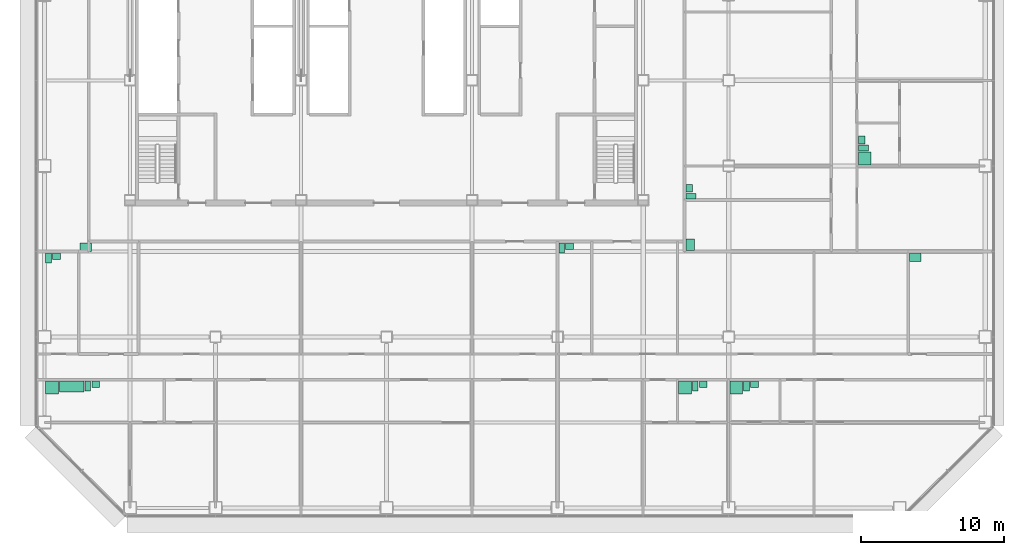
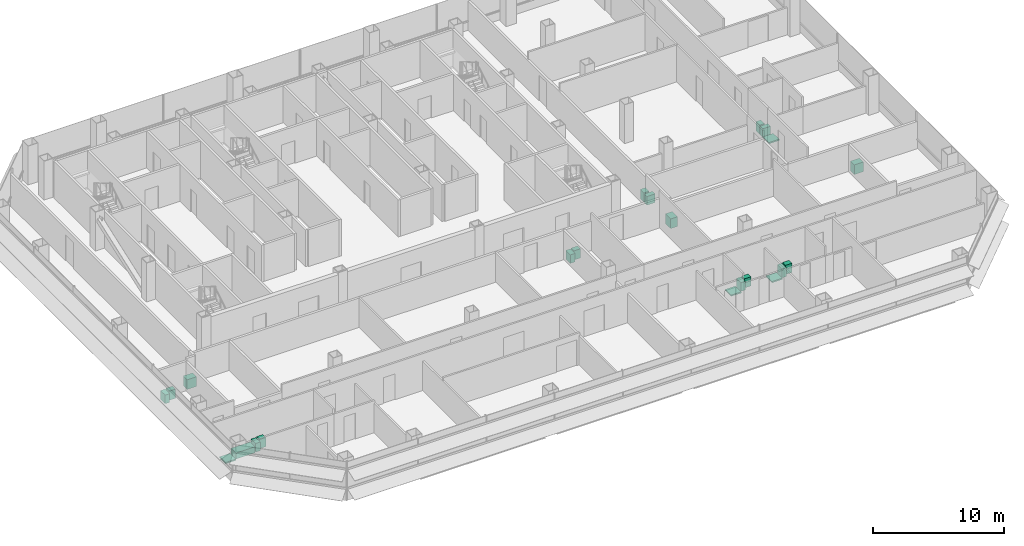
# One storey, part 27 of 27: 22 sanitary terminals.
"""IFC4 building model written with IfcOpenShell, lengths in metres."""

import ifcopenshell
import ifcopenshell.guid

model = None  # the IFC model being written
_history = None  # IfcOwnerHistory: only IFC2X3 demands one
_inside = {}  # id of a spatial element -> (the spatial element, [elements in it])
_under = {}  # id of a project, library or spatial element -> (it, [spatial elements below it])
_declared = {}  # id of a project -> (the project, [libraries it declares])
_typed = {}  # id of a type object -> (the type object, [elements of that type])
_made_of = {}  # id of a material, layer set ... -> (it, [elements and type objects made of it])


def new_model(schema):
    """Start an empty IFC model of exactly this schema.

    Asked for "IFC4X3", IfcOpenShell would pick the latest addendum, in which some entities
    have other attributes; the version numbers below select the first issue.
    IFC2X3 requires an IfcOwnerHistory on every rooted entity: one is made here for all.
    """
    global model, _history
    if schema == "IFC4X3":
        model = ifcopenshell.file(schema_version=(4, 3, 0, 0))
    else:
        model = ifcopenshell.file(schema=schema)
    _inside.clear()
    _under.clear()
    _declared.clear()
    _typed.clear()
    _made_of.clear()
    _history = None
    if model.schema == "IFC2X3":
        org = make("IfcOrganization", Name="unknown")
        user = make(
            "IfcPersonAndOrganization",
            ThePerson=make("IfcPerson", FamilyName="unknown"),
            TheOrganization=org,
        )
        app = make(
            "IfcApplication",
            ApplicationDeveloper=org,
            Version="unknown",
            ApplicationFullName="unknown",
            ApplicationIdentifier="unknown",
        )
        _history = make(
            "IfcOwnerHistory",
            OwningUser=user,
            OwningApplication=app,
            ChangeAction="ADDED",
            CreationDate=0,
        )
    return model


def make(cls, **values):
    """One entity of the class cls with the attributes given. An attribute that is None is left unset."""
    return model.create_entity(
        cls, **{name: value for name, value in values.items() if value is not None}
    )


def rooted(cls, **values):
    """An entity with a GlobalId (a new one), such as an element, a storey or a relation."""
    return make(cls, GlobalId=ifcopenshell.guid.new(), OwnerHistory=_history, **values)


def si_unit(unit_type, name, prefix=None):
    """IfcSIUnit, for example si_unit("LENGTHUNIT", "METRE", prefix="MILLI")."""
    return make("IfcSIUnit", UnitType=unit_type, Prefix=prefix, Name=name)


def assignment(units):
    """IfcUnitAssignment: the units of a project."""
    return None if units is None else make("IfcUnitAssignment", Units=units)


def point(xyz):
    """IfcCartesianPoint."""
    return None if xyz is None else make("IfcCartesianPoint", Coordinates=xyz)


def direction(xyz):
    """IfcDirection."""
    return None if xyz is None else make("IfcDirection", DirectionRatios=xyz)


def frame(location, z_axis=None, x_axis=None):
    """IfcAxis2Placement3D, a coordinate frame: its origin and axes. An axis left out is left unset."""
    return make(
        "IfcAxis2Placement3D",
        Location=point(location),
        Axis=direction(z_axis),
        RefDirection=direction(x_axis),
    )


def frame_2d(location, x_axis=None):
    """IfcAxis2Placement2D, a coordinate frame in the plane: its origin and x axis."""
    return make(
        "IfcAxis2Placement2D", Location=point(location), RefDirection=direction(x_axis)
    )


def origin():
    """The frame at (0, 0, 0) with its axes left unset."""
    return frame((0.0, 0.0, 0.0))


def origin_2d():
    """The frame at (0, 0) in the plane with its x axis left unset."""
    return frame_2d((0.0, 0.0))


def place(relative_to, where):
    """IfcLocalPlacement: puts the frame where relative to a parent placement (None: the world)."""
    return make(
        "IfcLocalPlacement", PlacementRelTo=relative_to, RelativePlacement=where
    )


def context(
    kind, dimensions, precision=None, world=None, true_north=None, identifier=None
):
    """IfcGeometricRepresentationContext, for example the 3D "Model" context."""
    return make(
        "IfcGeometricRepresentationContext",
        ContextIdentifier=identifier,
        ContextType=kind,
        CoordinateSpaceDimension=dimensions,
        Precision=precision,
        WorldCoordinateSystem=world,
        TrueNorth=true_north,
    )


def subcontext(parent, identifier, kind, view, scale=None):
    """IfcGeometricRepresentationSubContext, for example "Body" below "Model"."""
    return make(
        "IfcGeometricRepresentationSubContext",
        ContextIdentifier=identifier,
        ContextType=kind,
        ParentContext=parent,
        TargetScale=scale,
        TargetView=view,
    )


def project(units=None, contexts=None):
    """IfcProject with its units and contexts."""
    return rooted(
        "IfcProject",
        Name="project",
        RepresentationContexts=contexts,
        UnitsInContext=assignment(units),
    )


def spatial(cls, under=None, at=None, **own):
    """A site, building, storey or space (cls), placed at a placement, below another one or the project."""
    s = rooted(cls, ObjectPlacement=at, **own)
    if under is not None:
        _under.setdefault(under.id(), (under, []))[1].append(s)
    return s


def profile(cls, at=None, kind="AREA", **sizes):
    """A parametric profile (cls). Its sizes go by their IFC names, for example OverallWidth=200.0."""
    return make(cls, ProfileType=kind, Position=at, **sizes)


def rectangle(**sizes):
    """IfcRectangleProfileDef."""
    return profile("IfcRectangleProfileDef", **sizes)


def extrude(swept, where, along, depth):
    """IfcExtrudedAreaSolid: the profile swept, set in the frame where, extruded along a direction by depth."""
    return make(
        "IfcExtrudedAreaSolid",
        SweptArea=swept,
        Position=where,
        ExtrudedDirection=direction(along),
        Depth=depth,
    )


def shape(context_of_items, identifier, shape_type, items):
    """IfcShapeRepresentation: the items that make up one representation, for example the "Body"."""
    return make(
        "IfcShapeRepresentation",
        ContextOfItems=context_of_items,
        RepresentationIdentifier=identifier,
        RepresentationType=shape_type,
        Items=items,
    )


def made_of(thing, what):
    """Note that an element or type object is made of a material, layer set ...; save() writes the relation."""
    if what is not None:
        _made_of.setdefault(what.id(), (what, []))[1].append(thing)
    return thing


def element(
    cls,
    number,
    at=None,
    inside=None,
    cuts=None,
    type_object=None,
    material=None,
    context=None,
    identifier="Body",
    shape_type=None,
    held_by="IfcProductDefinitionShape",
    body=None,
    shapes=None,
    **own,
):
    """One element of the class cls, such as IfcWall. Its Tag is "e" and its number.

    at: its placement. inside: the storey or other place that contains it. cuts: it is an
    opening in that element (IfcRelVoidsElement). A single representation is given by context,
    identifier, shape_type and body (its items); several are given by shapes. held_by: the class
    of the entity that holds the representations. save() writes the other relations.
    """
    e = rooted(cls, Tag="e%d" % number, ObjectPlacement=at, **own)
    if body is not None:
        shapes = [shape(context, identifier, shape_type, body)]
    if shapes is not None:
        e.Representation = make(held_by, Representations=shapes)
    if inside is not None:
        _inside.setdefault(inside.id(), (inside, []))[1].append(e)
    if cuts is not None:
        rooted(
            "IfcRelVoidsElement", RelatingBuildingElement=cuts, RelatedOpeningElement=e
        )
    if type_object is not None:
        _typed.setdefault(type_object.id(), (type_object, []))[1].append(e)
    return made_of(e, material)


def aggregate(whole, parts):
    """IfcRelAggregates: a whole, such as a stair, and the parts it consists of."""
    return rooted("IfcRelAggregates", RelatingObject=whole, RelatedObjects=parts)


def save(model, path):
    """Write the relations noted so far, then the file.

    IfcRelAggregates (storeys below a building ...), IfcRelContainedInSpatialStructure (elements
    in a storey), IfcRelDefinesByType, IfcRelAssociatesMaterial and IfcRelDeclares: one each for
    every whole, place, type object, material and project.
    """
    for whole, parts in _under.values():
        aggregate(whole, parts)
    for where, things in _inside.values():
        rooted(
            "IfcRelContainedInSpatialStructure",
            RelatedElements=things,
            RelatingStructure=where,
        )
    for kind, things in _typed.values():
        rooted("IfcRelDefinesByType", RelatedObjects=things, RelatingType=kind)
    for what, things in _made_of.values():
        rooted("IfcRelAssociatesMaterial", RelatedObjects=things, RelatingMaterial=what)
    for by, libraries in _declared.values():
        rooted("IfcRelDeclares", RelatingContext=by, RelatedDefinitions=libraries)
    model.write(path)


model = new_model("IFC4")

# Units and contexts
model_context = context("Model", 3, precision=1e-05, world=origin(), true_north=direction((0.0, 1.0)))
body_context = subcontext(model_context, "Body", "Model", "MODEL_VIEW")
ifc_project = project(units=[si_unit("LENGTHUNIT", "METRE"), si_unit("AREAUNIT", "SQUARE_METRE"), si_unit("VOLUMEUNIT", "CUBIC_METRE"), si_unit("PLANEANGLEUNIT", "RADIAN"), si_unit("MASSUNIT", "GRAM", prefix="KILO")], contexts=[model_context])

# Site, building, storey
site_placement = place(None, origin())
site = spatial("IfcSite", under=ifc_project, at=site_placement, CompositionType="ELEMENT")
building_placement = place(site_placement, origin())
building = spatial("IfcBuilding", under=site, at=building_placement, Name="Sorahane Residences", CompositionType="ELEMENT")
storey_placement = place(building_placement, frame((0.0, 0.0, 49.800048828125)))
storey = spatial("IfcBuildingStorey", under=building, at=storey_placement, Name="L08", CompositionType="ELEMENT", Elevation=49.800048828125)

# Sanitary terminals
sanitary_terminal_1_placement = place(storey_placement, frame((0.530029296875, 8.449951171875, 0.0), z_axis=(0.0, 0.0, 1.0), x_axis=(1.0, 0.0, 0.0)))
element("IfcSanitaryTerminal", 1, at=sanitary_terminal_1_placement, inside=storey, Name="Shower tray En-suite bathroom 08A", PredefinedType="SHOWER", context=body_context, shape_type="SweptSolid", body=[
    extrude(rectangle(XDim=0.89990234375, YDim=0.89990234375, at=origin_2d()), origin(), (0.0, 0.0, 1.0), 0.1201171875),
])
sanitary_terminal_2_placement = place(storey_placement, frame((1.909912109375, 8.52490234375, 0.0), z_axis=(0.0, 0.0, 1.0), x_axis=(1.0, 0.0, 0.0)))
element("IfcSanitaryTerminal", 2, at=sanitary_terminal_2_placement, inside=storey, Name="Bath En-suite bathroom 08A", PredefinedType="BATH", context=body_context, shape_type="SweptSolid", body=[
    extrude(rectangle(XDim=1.699951171875, YDim=0.75, at=origin_2d()), origin(), (0.0, 0.0, 1.0), 0.56005859375),
])
sanitary_terminal_3_placement = place(storey_placement, frame((3.0400390625, 8.550048828125, 0.0), z_axis=(0.0, 0.0, 1.0), x_axis=(1.0, 0.0, 0.0)))
element("IfcSanitaryTerminal", 3, at=sanitary_terminal_3_placement, inside=storey, Name="WC pan En-suite bathroom 08A", PredefinedType="TOILETPAN", context=body_context, shape_type="SweptSolid", body=[
    extrude(rectangle(XDim=0.39990234375, YDim=0.699951171875, at=origin_2d()), origin(), (0.0, 0.0, 1.0), 0.800048828125),
])
sanitary_terminal_4_placement = place(storey_placement, frame((3.594970703125, 8.675048828125, 0.0), z_axis=(0.0, 0.0, 1.0), x_axis=(1.0, 0.0, 0.0)))
element("IfcSanitaryTerminal", 4, at=sanitary_terminal_4_placement, inside=storey, Name="Wash basin En-suite bathroom 08A", PredefinedType="WASHHANDBASIN", context=body_context, shape_type="SweptSolid", body=[
    extrude(rectangle(XDim=0.550048828125, YDim=0.449951171875, at=origin_2d()), origin(), (0.0, 0.0, 1.0), 0.85009765625),
])
sanitary_terminal_5_placement = place(storey_placement, frame((0.280029296875, 17.550048828125, 0.0), z_axis=(0.0, 0.0, 1.0), x_axis=(1.0, 0.0, 0.0)))
element("IfcSanitaryTerminal", 5, at=sanitary_terminal_5_placement, inside=storey, Name="WC pan Powder room 08A", PredefinedType="TOILETPAN", context=body_context, shape_type="SweptSolid", body=[
    extrude(rectangle(XDim=0.39990234375, YDim=0.699951171875, at=origin_2d()), origin(), (0.0, 0.0, 1.0), 0.800048828125),
])
sanitary_terminal_6_placement = place(storey_placement, frame((0.8349609375, 17.675048828125, 0.0), z_axis=(0.0, 0.0, 1.0), x_axis=(1.0, 0.0, 0.0)))
element("IfcSanitaryTerminal", 6, at=sanitary_terminal_6_placement, inside=storey, Name="Wash basin Powder room 08A", PredefinedType="WASHHANDBASIN", context=body_context, shape_type="SweptSolid", body=[
    extrude(rectangle(XDim=0.550048828125, YDim=0.449951171875, at=origin_2d()), origin(), (0.0, 0.0, 1.0), 0.85009765625),
])
sanitary_terminal_7_placement = place(storey_placement, frame((2.8798828125, 18.300048828125, 0.0), z_axis=(0.0, 0.0, 1.0), x_axis=(1.0, 0.0, 0.0)))
element("IfcSanitaryTerminal", 7, at=sanitary_terminal_7_placement, inside=storey, Name="Kitchen sink Kitchen 08A", PredefinedType="SINK", context=body_context, shape_type="SweptSolid", body=[
    extrude(rectangle(XDim=0.800048828125, YDim=0.60009765625, at=origin_2d()), origin(), (0.0, 0.0, 1.0), 0.89990234375),
])
sanitary_terminal_8_placement = place(storey_placement, frame((44.929931640625, 8.449951171875, 0.0), z_axis=(0.0, 0.0, 1.0), x_axis=(1.0, 0.0, 0.0)))
element("IfcSanitaryTerminal", 8, at=sanitary_terminal_8_placement, inside=storey, Name="Shower tray En-suite bathroom 08B", PredefinedType="SHOWER", context=body_context, shape_type="SweptSolid", body=[
    extrude(rectangle(XDim=0.89990234375, YDim=0.89990234375, at=origin_2d()), origin(), (0.0, 0.0, 1.0), 0.1201171875),
])
sanitary_terminal_9_placement = place(storey_placement, frame((45.659912109375, 8.550048828125, 0.0), z_axis=(0.0, 0.0, 1.0), x_axis=(1.0, 0.0, 0.0)))
element("IfcSanitaryTerminal", 9, at=sanitary_terminal_9_placement, inside=storey, Name="WC pan En-suite bathroom 08B", PredefinedType="TOILETPAN", context=body_context, shape_type="SweptSolid", body=[
    extrude(rectangle(XDim=0.39990234375, YDim=0.699951171875, at=origin_2d()), origin(), (0.0, 0.0, 1.0), 0.800048828125),
])
sanitary_terminal_10_placement = place(storey_placement, frame((46.215087890625, 8.675048828125, 0.0), z_axis=(0.0, 0.0, 1.0), x_axis=(1.0, 0.0, 0.0)))
element("IfcSanitaryTerminal", 10, at=sanitary_terminal_10_placement, inside=storey, Name="Wash basin En-suite bathroom 08B", PredefinedType="WASHHANDBASIN", context=body_context, shape_type="SweptSolid", body=[
    extrude(rectangle(XDim=0.550048828125, YDim=0.449951171875, at=origin_2d()), origin(), (0.0, 0.0, 1.0), 0.85009765625),
])
sanitary_terminal_11_placement = place(storey_placement, frame((48.530029296875, 8.449951171875, 0.0), z_axis=(0.0, 0.0, 1.0), x_axis=(1.0, 0.0, 0.0)))
element("IfcSanitaryTerminal", 11, at=sanitary_terminal_11_placement, inside=storey, Name="Shower tray En-suite bathroom 08B-2", PredefinedType="SHOWER", context=body_context, shape_type="SweptSolid", body=[
    extrude(rectangle(XDim=0.89990234375, YDim=0.89990234375, at=origin_2d()), origin(), (0.0, 0.0, 1.0), 0.1201171875),
])
sanitary_terminal_12_placement = place(storey_placement, frame((49.260009765625, 8.550048828125, 0.0), z_axis=(0.0, 0.0, 1.0), x_axis=(1.0, 0.0, 0.0)))
element("IfcSanitaryTerminal", 12, at=sanitary_terminal_12_placement, inside=storey, Name="WC pan En-suite bathroom 08B-2", PredefinedType="TOILETPAN", context=body_context, shape_type="SweptSolid", body=[
    extrude(rectangle(XDim=0.39990234375, YDim=0.699951171875, at=origin_2d()), origin(), (0.0, 0.0, 1.0), 0.800048828125),
])
sanitary_terminal_13_placement = place(storey_placement, frame((49.81494140625, 8.675048828125, 0.0), z_axis=(0.0, 0.0, 1.0), x_axis=(1.0, 0.0, 0.0)))
element("IfcSanitaryTerminal", 13, at=sanitary_terminal_13_placement, inside=storey, Name="Wash basin En-suite bathroom 08B-2", PredefinedType="WASHHANDBASIN", context=body_context, shape_type="SweptSolid", body=[
    extrude(rectangle(XDim=0.550048828125, YDim=0.449951171875, at=origin_2d()), origin(), (0.0, 0.0, 1.0), 0.85009765625),
])
sanitary_terminal_14_placement = place(storey_placement, frame((36.280029296875, 18.25, 0.0), z_axis=(0.0, 0.0, 1.0), x_axis=(1.0, 0.0, 0.0)))
element("IfcSanitaryTerminal", 14, at=sanitary_terminal_14_placement, inside=storey, Name="WC pan Guest WC 08B", PredefinedType="TOILETPAN", context=body_context, shape_type="SweptSolid", body=[
    extrude(rectangle(XDim=0.39990234375, YDim=0.699951171875, at=origin_2d()), origin(), (0.0, 0.0, 1.0), 0.800048828125),
])
sanitary_terminal_15_placement = place(storey_placement, frame((36.8349609375, 18.375, 0.0), z_axis=(0.0, 0.0, 1.0), x_axis=(1.0, 0.0, 0.0)))
element("IfcSanitaryTerminal", 15, at=sanitary_terminal_15_placement, inside=storey, Name="Wash basin Guest WC 08B", PredefinedType="WASHHANDBASIN", context=body_context, shape_type="SweptSolid", body=[
    extrude(rectangle(XDim=0.550048828125, YDim=0.449951171875, at=origin_2d()), origin(), (0.0, 0.0, 1.0), 0.85009765625),
])
sanitary_terminal_16_placement = place(storey_placement, frame((61.080078125, 17.60009765625, 0.0), z_axis=(0.0, 0.0, 1.0), x_axis=(1.0, 0.0, 0.0)))
element("IfcSanitaryTerminal", 16, at=sanitary_terminal_16_placement, inside=storey, Name="Kitchen sink Kitchen 08B", PredefinedType="SINK", context=body_context, shape_type="SweptSolid", body=[
    extrude(rectangle(XDim=0.800048828125, YDim=0.60009765625, at=origin_2d()), origin(), (0.0, 0.0, 1.0), 0.89990234375),
])
sanitary_terminal_17_placement = place(storey_placement, frame((57.550048828125, 24.530029296875, 0.0), z_axis=(0.0, 0.0, 1.0), x_axis=(0.0, 1.0, 0.0)))
element("IfcSanitaryTerminal", 17, at=sanitary_terminal_17_placement, inside=storey, Name="Shower tray En-suite bathroom 08C", PredefinedType="SHOWER", context=body_context, shape_type="SweptSolid", body=[
    extrude(rectangle(XDim=0.89990234375, YDim=0.89990234375, at=origin_2d()), origin(), (0.0, 0.0, 1.0), 0.1201171875),
])
sanitary_terminal_18_placement = place(storey_placement, frame((57.449951171875, 25.260009765625, 0.0), z_axis=(0.0, 0.0, 1.0), x_axis=(0.0, 1.0, 0.0)))
element("IfcSanitaryTerminal", 18, at=sanitary_terminal_18_placement, inside=storey, Name="WC pan En-suite bathroom 08C", PredefinedType="TOILETPAN", context=body_context, shape_type="SweptSolid", body=[
    extrude(rectangle(XDim=0.39990234375, YDim=0.699951171875, at=origin_2d()), origin(), (0.0, 0.0, 1.0), 0.800048828125),
])
sanitary_terminal_19_placement = place(storey_placement, frame((57.324951171875, 25.81494140625, 0.0), z_axis=(0.0, 0.0, 1.0), x_axis=(0.0, 1.0, 0.0)))
element("IfcSanitaryTerminal", 19, at=sanitary_terminal_19_placement, inside=storey, Name="Wash basin En-suite bathroom 08C", PredefinedType="WASHHANDBASIN", context=body_context, shape_type="SweptSolid", body=[
    extrude(rectangle(XDim=0.550048828125, YDim=0.449951171875, at=origin_2d()), origin(), (0.0, 0.0, 1.0), 0.85009765625),
])
sanitary_terminal_20_placement = place(storey_placement, frame((45.300048828125, 18.47998046875, 0.0), z_axis=(0.0, 0.0, 1.0), x_axis=(0.0, 1.0, 0.0)))
element("IfcSanitaryTerminal", 20, at=sanitary_terminal_20_placement, inside=storey, Name="Kitchen sink Kitchen 08C", PredefinedType="SINK", context=body_context, shape_type="SweptSolid", body=[
    extrude(rectangle(XDim=0.800048828125, YDim=0.60009765625, at=origin_2d()), origin(), (0.0, 0.0, 1.0), 0.89990234375),
])
sanitary_terminal_21_placement = place(storey_placement, frame((45.35009765625, 21.8798828125, 0.0), z_axis=(0.0, 0.0, 1.0), x_axis=(0.0, 1.0, 0.0)))
element("IfcSanitaryTerminal", 21, at=sanitary_terminal_21_placement, inside=storey, Name="WC pan Guest WC 08C", PredefinedType="TOILETPAN", context=body_context, shape_type="SweptSolid", body=[
    extrude(rectangle(XDim=0.39990234375, YDim=0.699951171875, at=origin_2d()), origin(), (0.0, 0.0, 1.0), 0.800048828125),
])
sanitary_terminal_22_placement = place(storey_placement, frame((45.22509765625, 22.43505859375, 0.0), z_axis=(0.0, 0.0, 1.0), x_axis=(0.0, 1.0, 0.0)))
element("IfcSanitaryTerminal", 22, at=sanitary_terminal_22_placement, inside=storey, Name="Wash basin Guest WC 08C", PredefinedType="WASHHANDBASIN", context=body_context, shape_type="SweptSolid", body=[
    extrude(rectangle(XDim=0.550048828125, YDim=0.449951171875, at=origin_2d()), origin(), (0.0, 0.0, 1.0), 0.85009765625),
])

save(model, "model.ifc")
